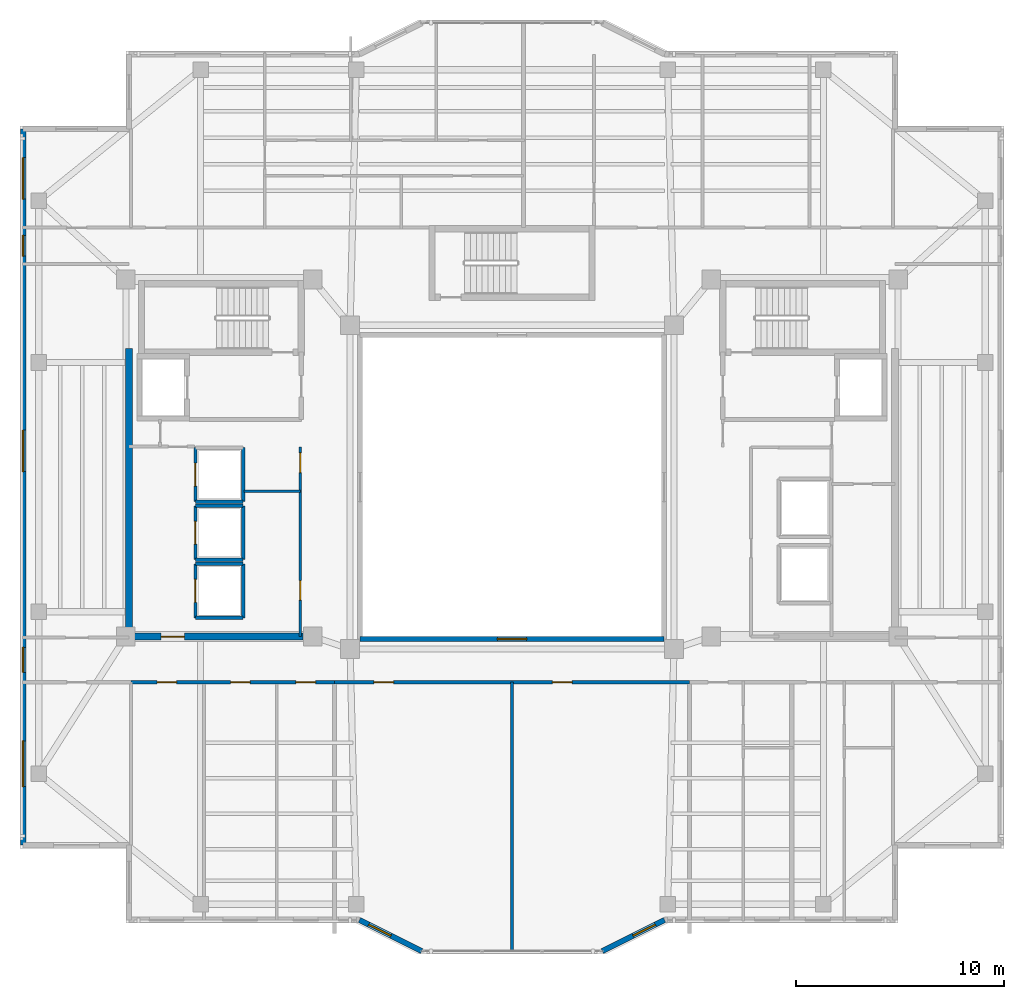
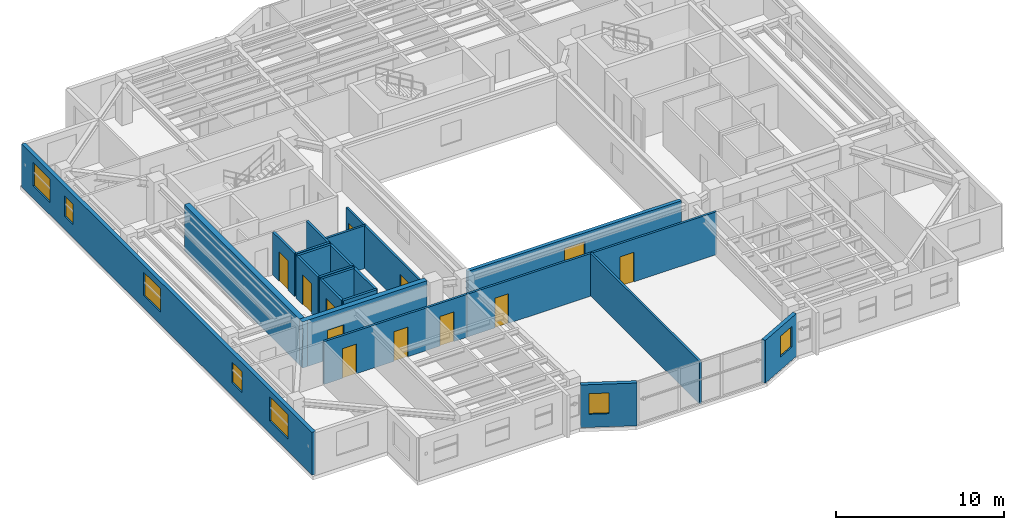
# One storey, part 6 of 13: 22 walls, 11 doors, 8 windows, 19 openings.
"""IFC4 building model written with IfcOpenShell, lengths in metres."""

from ifc_helpers import new_model, si_unit, direction, frame, frame_2d, origin, place, context, subcontext, project, spatial, rectangle, extrude, material, layer, layer_set, type_object, element, fill, save


model = new_model("IFC4")

# Units and contexts
model_context = context("Model", 3, precision=1e-05, world=origin(), true_north=direction((0.0, 1.0)))
body_context = subcontext(model_context, "Body", "Model", "MODEL_VIEW")
ifc_project = project(units=[si_unit("LENGTHUNIT", "METRE"), si_unit("AREAUNIT", "SQUARE_METRE"), si_unit("VOLUMEUNIT", "CUBIC_METRE"), si_unit("PLANEANGLEUNIT", "RADIAN"), si_unit("MASSUNIT", "GRAM", prefix="KILO")], contexts=[model_context])

# Site, building, storey
site_placement = place(None, origin())
site = spatial("IfcSite", under=ifc_project, at=site_placement, CompositionType="ELEMENT")
building_placement = place(site_placement, origin())
building = spatial("IfcBuilding", under=site, at=building_placement, Name="Tarnavaz Court Tower", CompositionType="ELEMENT")
storey_placement = place(building_placement, frame((0.0, 0.0, 196.949951171875)))
storey = spatial("IfcBuildingStorey", under=building, at=storey_placement, Name="L53", CompositionType="ELEMENT", Elevation=196.949951171875)

# Wall
ifc_material_1 = material(Name="Concrete C50/60", Category="concrete")
ifc_layer_1 = layer(ifc_material_1, 0.35009765625)
ifc_layer_set_1 = layer_set([ifc_layer_1], Name="Concrete C50/60")
wall_type_1 = type_object("IfcWallType", Name="WL-CORE-350-C50", PredefinedType="SHEAR", material=ifc_layer_set_1)
wall_1_placement = place(storey_placement, frame((-18.449951171875, -7.375, 0.0), z_axis=(0.0, 0.0, 1.0), x_axis=(0.0, 1.0, 0.0)))
element("IfcWall", 1, at=wall_1_placement, inside=storey, type_object=wall_type_1, Name="L53 West Core Shear Wall 045", PredefinedType="SHEAR", context=body_context, shape_type="SweptSolid", body=[
    extrude(rectangle(XDim=14.050048828125, YDim=0.35009765625, at=frame_2d((7.02490234375, 0.0))), origin(), (0.0, 0.0, 1.0), 3.35009765625),
])

# Wall, opening, door
wall_2_placement = place(storey_placement, frame((-18.625, -7.199951171875, 0.0), z_axis=(0.0, 0.0, 1.0), x_axis=(1.0, 0.0, 0.0)))
wall_2 = element("IfcWall", 2, at=wall_2_placement, inside=storey, type_object=wall_type_1, Name="L53 West Core South Shear Wall 046", PredefinedType="SHEAR", context=body_context, shape_type="SweptSolid", body=[
    extrude(rectangle(XDim=8.550048828125, YDim=0.35009765625, at=frame_2d((4.27490234375, 0.0))), origin(), (0.0, 0.0, 1.0), 3.35009765625),
])
opening_1_placement = place(wall_2_placement, frame((1.72509765625, 0.0, 0.0)))
opening_1 = element("IfcOpeningElement", 3, at=opening_1_placement, cuts=wall_2, Name="Opening D04", PredefinedType="OPENING", context=body_context, shape_type="SweptSolid", body=[
    extrude(rectangle(XDim=1.1201171875, YDim=2.14990234375, at=frame_2d((0.56005859375, 1.074951171875))), frame((0.0, 0.18505859375, 0.0), z_axis=(0.0, -1.0, 0.0), x_axis=(1.0, 0.0, 0.0)), (0.0, 0.0, 1.0), 0.3701171875),
])
ifc_material_2 = material(Name="Fire-Rated Hardwood Timber Core", Category="wood")
door_type_1 = type_object("IfcDoorType", Name="DR-FD60-1100", OperationType="NOTDEFINED", PredefinedType="DOOR", material=ifc_material_2)
door_1_placement = place(opening_1_placement, origin())
door_1 = element("IfcDoor", 4, at=door_1_placement, inside=storey, type_object=door_type_1, Name="L53 West High-Rise Lift Lobby Door", OperationType="SINGLE_SWING_LEFT", OverallHeight=2.14990234375, OverallWidth=1.1201171875, PredefinedType="DOOR", context=body_context, shape_type="SweptSolid", body=[
    extrude(rectangle(XDim=1.1201171875, YDim=2.14990234375, at=frame_2d((0.56005859375, 1.074951171875))), frame((0.0, 0.02490234375, 0.0), z_axis=(0.0, -1.0, 0.0), x_axis=(1.0, 0.0, 0.0)), (0.0, 0.0, 1.0), 0.050048828125),
])
fill(opening_1, door_1)

# Wall, openings, windows
ifc_material_3 = material(Name="Precast Concrete C40/50", Category="concrete")
ifc_layer_2 = layer(ifc_material_3, 0.260009765625)
ifc_layer_set_2 = layer_set([ifc_layer_2], Name="Precast Concrete C40/50")
wall_type_2 = type_object("IfcWallType", Name="WL-EXT-260", PredefinedType="SOLIDWALL", material=ifc_layer_set_2)
wall_3_placement = place(storey_placement, frame((-23.550048828125, -17.25, 0.0), z_axis=(0.0, 0.0, 1.0), x_axis=(0.0, 1.0, 0.0)))
wall_3 = element("IfcWall", 5, at=wall_3_placement, inside=storey, type_object=wall_type_2, Name="L53 Exterior Terracotta Facade Wall 02", PredefinedType="SOLIDWALL", context=body_context, shape_type="SweptSolid", body=[
    extrude(rectangle(XDim=34.5, YDim=0.260009765625, at=frame_2d((17.25, 0.0))), origin(), (0.0, 0.0, 1.0), 3.10009765625),
])
opening_2_placement = place(wall_3_placement, frame((2.824951171875, 0.0, 0.89990234375)))
opening_2 = element("IfcOpeningElement", 6, at=opening_2_placement, cuts=wall_3, Name="Opening W07", PredefinedType="OPENING", context=body_context, shape_type="SweptSolid", body=[
    extrude(rectangle(XDim=2.199951171875, YDim=1.75, at=frame_2d((1.10009765625, 0.875))), frame((0.0, 0.139892578125, 0.0), z_axis=(0.0, -1.0, 0.0), x_axis=(1.0, 0.0, 0.0)), (0.0, 0.0, 1.0), 0.280029296875),
])
opening_3_placement = place(wall_3_placement, frame((8.324951171875, 0.0, 0.949951171875)))
opening_3 = element("IfcOpeningElement", 7, at=opening_3_placement, cuts=wall_3, Name="Opening W05", PredefinedType="OPENING", context=body_context, shape_type="SweptSolid", body=[
    extrude(rectangle(XDim=1.199951171875, YDim=1.5, at=frame_2d((0.60009765625, 0.75))), frame((0.0, 0.139892578125, 0.0), z_axis=(0.0, -1.0, 0.0), x_axis=(1.0, 0.0, 0.0)), (0.0, 0.0, 1.0), 0.280029296875),
])
opening_4_placement = place(wall_3_placement, frame((18.0, 0.0, 0.89990234375)))
opening_4 = element("IfcOpeningElement", 8, at=opening_4_placement, cuts=wall_3, Name="Opening W08", PredefinedType="OPENING", context=body_context, shape_type="SweptSolid", body=[
    extrude(rectangle(XDim=2.0, YDim=1.699951171875, at=frame_2d((1.0, 0.85009765625))), frame((0.0, 0.139892578125, 0.0), z_axis=(0.0, -1.0, 0.0), x_axis=(1.0, 0.0, 0.0)), (0.0, 0.0, 1.0), 0.280029296875),
])
opening_5_placement = place(wall_3_placement, frame((28.375, 0.0, 0.949951171875)))
opening_5 = element("IfcOpeningElement", 9, at=opening_5_placement, cuts=wall_3, Name="Opening W14", PredefinedType="OPENING", context=body_context, shape_type="SweptSolid", body=[
    extrude(rectangle(XDim=1.0, YDim=1.5, at=frame_2d((0.5, 0.75))), frame((0.0, 0.139892578125, 0.0), z_axis=(0.0, -1.0, 0.0), x_axis=(1.0, 0.0, 0.0)), (0.0, 0.0, 1.0), 0.280029296875),
])
opening_6_placement = place(wall_3_placement, frame((31.125, 0.0, 0.89990234375)))
opening_6 = element("IfcOpeningElement", 10, at=opening_6_placement, cuts=wall_3, Name="Opening W08", PredefinedType="OPENING", context=body_context, shape_type="SweptSolid", body=[
    extrude(rectangle(XDim=2.0, YDim=1.699951171875, at=frame_2d((1.0, 0.85009765625))), frame((0.0, 0.139892578125, 0.0), z_axis=(0.0, -1.0, 0.0), x_axis=(1.0, 0.0, 0.0)), (0.0, 0.0, 1.0), 0.280029296875),
])
ifc_material_4 = material(Name="Double-Glazed Solar Low-E Glass", Category="glass")
window_type_1 = type_object("IfcWindowType", Name="WN-APT-1000", PartitioningType="SINGLE_PANEL", PredefinedType="WINDOW", material=ifc_material_4)
window_1_placement = place(opening_5_placement, origin())
window_1 = element("IfcWindow", 11, at=window_1_placement, inside=storey, type_object=window_type_1, Name="L53 North-West Corner Corridor Window", OverallHeight=1.5, OverallWidth=1.0, PartitioningType="SINGLE_PANEL", PredefinedType="WINDOW", context=body_context, shape_type="SweptSolid", body=[
    extrude(rectangle(XDim=1.0, YDim=1.5, at=frame_2d((0.5, 0.75))), frame((0.0, 0.030029296875, 0.0), z_axis=(0.0, -1.0, 0.0), x_axis=(1.0, 0.0, 0.0)), (0.0, 0.0, 1.0), 0.06005859375),
])
fill(opening_5, window_1)
window_type_2 = type_object("IfcWindowType", Name="WN-APT-1200", PartitioningType="SINGLE_PANEL", PredefinedType="WINDOW", material=ifc_material_4)
window_2_placement = place(opening_3_placement, origin())
window_2 = element("IfcWindow", 12, at=window_2_placement, inside=storey, type_object=window_type_2, Name="L53 South-West Corner Corridor Window", OverallHeight=1.5, OverallWidth=1.199951171875, PartitioningType="SINGLE_PANEL", PredefinedType="WINDOW", context=body_context, shape_type="SweptSolid", body=[
    extrude(rectangle(XDim=1.199951171875, YDim=1.5, at=frame_2d((0.60009765625, 0.75))), frame((0.0, 0.030029296875, 0.0), z_axis=(0.0, -1.0, 0.0), x_axis=(1.0, 0.0, 0.0)), (0.0, 0.0, 1.0), 0.06005859375),
])
fill(opening_3, window_2)
window_type_3 = type_object("IfcWindowType", Name="WN-APT-2000", PartitioningType="DOUBLE_PANEL_VERTICAL", PredefinedType="WINDOW", material=ifc_material_4)
window_3_placement = place(opening_4_placement, origin())
window_3 = element("IfcWindow", 13, at=window_3_placement, inside=storey, type_object=window_type_3, Name="L53 West Wing Panoramic Study Gallery Window", OverallHeight=1.699951171875, OverallWidth=2.0, PartitioningType="SINGLE_PANEL", PredefinedType="WINDOW", context=body_context, shape_type="SweptSolid", body=[
    extrude(rectangle(XDim=2.0, YDim=1.699951171875, at=frame_2d((1.0, 0.85009765625))), frame((0.0, 0.030029296875, 0.0), z_axis=(0.0, -1.0, 0.0), x_axis=(1.0, 0.0, 0.0)), (0.0, 0.0, 1.0), 0.06005859375),
])
fill(opening_4, window_3)
window_4_placement = place(opening_6_placement, origin())
window_4 = element("IfcWindow", 14, at=window_4_placement, inside=storey, type_object=window_type_3, Name="L53 North-West Corner Sunroom Study Window", OverallHeight=1.699951171875, OverallWidth=2.0, PartitioningType="SINGLE_PANEL", PredefinedType="WINDOW", context=body_context, shape_type="SweptSolid", body=[
    extrude(rectangle(XDim=2.0, YDim=1.699951171875, at=frame_2d((1.0, 0.85009765625))), frame((0.0, 0.030029296875, 0.0), z_axis=(0.0, -1.0, 0.0), x_axis=(1.0, 0.0, 0.0)), (0.0, 0.0, 1.0), 0.06005859375),
])
fill(opening_6, window_4)
window_type_4 = type_object("IfcWindowType", Name="WN-APT-2200", PartitioningType="TRIPLE_PANEL_VERTICAL", PredefinedType="WINDOW", material=ifc_material_4)
window_5_placement = place(opening_2_placement, origin())
window_5 = element("IfcWindow", 15, at=window_5_placement, inside=storey, type_object=window_type_4, Name="L53 South-West Corner Reading Room Window", OverallHeight=1.75, OverallWidth=2.199951171875, PartitioningType="SINGLE_PANEL", PredefinedType="WINDOW", context=body_context, shape_type="SweptSolid", body=[
    extrude(rectangle(XDim=2.199951171875, YDim=1.75, at=frame_2d((1.10009765625, 0.875))), frame((0.0, 0.030029296875, 0.0), z_axis=(0.0, -1.0, 0.0), x_axis=(1.0, 0.0, 0.0)), (0.0, 0.0, 1.0), 0.06005859375),
])
fill(opening_2, window_5)

# Wall, opening, window
wall_4_placement = place(storey_placement, frame((7.35009765625, -20.85009765625, 0.0), z_axis=(0.0, 0.0, 1.0), x_axis=(-0.894427191, -0.4472135955, 0.0)))
wall_4 = element("IfcWall", 16, at=wall_4_placement, inside=storey, type_object=wall_type_2, Name="L53 Exterior Terracotta Facade Wall 16", PredefinedType="SOLIDWALL", context=body_context, shape_type="SweptSolid", body=[
    extrude(rectangle(XDim=3.35400390625, YDim=0.260009765625, at=frame_2d((1.677001953125, 0.0))), origin(), (0.0, 0.0, 1.0), 3.10009765625),
])
opening_7_placement = place(wall_4_placement, frame((0.501220703125, 0.0, 0.949951171875)))
opening_7 = element("IfcOpeningElement", 17, at=opening_7_placement, cuts=wall_4, Name="Opening W05", PredefinedType="OPENING", context=body_context, shape_type="SweptSolid", body=[
    extrude(rectangle(XDim=1.199951171875, YDim=1.5, at=frame_2d((0.60009765625, 0.75))), frame((0.0, 0.139892578125, 0.0), z_axis=(0.0, -1.0, 0.0), x_axis=(1.0, 0.0, 0.0)), (0.0, 0.0, 1.0), 0.280029296875),
])
window_6_placement = place(opening_7_placement, origin())
window_6 = element("IfcWindow", 18, at=window_6_placement, inside=storey, type_object=window_type_2, Name="L53 South Courtyard Reading Room Window", OverallHeight=1.5, OverallWidth=1.199951171875, PartitioningType="SINGLE_PANEL", PredefinedType="WINDOW", context=body_context, shape_type="SweptSolid", body=[
    extrude(rectangle(XDim=1.199951171875, YDim=1.5, at=frame_2d((0.60009765625, 0.75))), frame((0.0, 0.030029296875, 0.0), z_axis=(0.0, -1.0, 0.0), x_axis=(1.0, 0.0, 0.0)), (0.0, 0.0, 1.0), 0.06005859375),
])
fill(opening_7, window_6)

wall_5_placement = place(storey_placement, frame((-4.35009765625, -22.35009765625, 0.0), z_axis=(0.0, 0.0, 1.0), x_axis=(-0.894427191, 0.4472135955, 0.0)))
wall_5 = element("IfcWall", 19, at=wall_5_placement, inside=storey, type_object=wall_type_2, Name="L53 Exterior Terracotta Facade Wall 18", PredefinedType="SOLIDWALL", context=body_context, shape_type="SweptSolid", body=[
    extrude(rectangle(XDim=3.35400390625, YDim=0.260009765625, at=frame_2d((1.677001953125, 0.0))), origin(), (0.0, 0.0, 1.0), 3.10009765625),
])
opening_8_placement = place(wall_5_placement, frame((1.65283203125, 0.0, 0.949951171875)))
opening_8 = element("IfcOpeningElement", 20, at=opening_8_placement, cuts=wall_5, Name="Opening W05", PredefinedType="OPENING", context=body_context, shape_type="SweptSolid", body=[
    extrude(rectangle(XDim=1.199951171875, YDim=1.5, at=frame_2d((0.60009765625, 0.75))), frame((0.0, 0.139892578125, 0.0), z_axis=(0.0, -1.0, 0.0), x_axis=(1.0, 0.0, 0.0)), (0.0, 0.0, 1.0), 0.280029296875),
])
window_7_placement = place(opening_8_placement, origin())
window_7 = element("IfcWindow", 21, at=window_7_placement, inside=storey, type_object=window_type_2, Name="L53 South Courtyard Majlis Lounge Window", OverallHeight=1.5, OverallWidth=1.199951171875, PartitioningType="SINGLE_PANEL", PredefinedType="WINDOW", context=body_context, shape_type="SweptSolid", body=[
    extrude(rectangle(XDim=1.199951171875, YDim=1.5, at=frame_2d((0.60009765625, 0.75))), frame((0.0, 0.030029296875, 0.0), z_axis=(0.0, -1.0, 0.0), x_axis=(1.0, 0.0, 0.0)), (0.0, 0.0, 1.0), 0.06005859375),
])
fill(opening_8, window_7)

# Wall, openings, doors
ifc_material_5 = material(Name="Gypsum Fire-Board on Acoustic Metal Stud", Category="masonry")
ifc_layer_3 = layer(ifc_material_5, 0.14990234375)
ifc_layer_set_3 = layer_set([ifc_layer_3], Name="Gypsum Fire-Board on Acoustic Metal Stud")
wall_type_3 = type_object("IfcWallType", Name="WL-FIRE-150", PredefinedType="PARTITIONING", material=ifc_layer_set_3)
wall_6_placement = place(storey_placement, frame((-18.35009765625, -9.39990234375, 0.0), z_axis=(0.0, 0.0, 1.0), x_axis=(1.0, 0.0, 0.0)))
wall_6 = element("IfcWall", 22, at=wall_6_placement, inside=storey, type_object=wall_type_3, Name="L53 SW Lobby Wall 062", PredefinedType="PARTITIONING", context=body_context, shape_type="SweptSolid", body=[
    extrude(rectangle(XDim=9.800048828125, YDim=0.14990234375, at=frame_2d((4.89990234375, 0.0))), origin(), (0.0, 0.0, 1.0), 3.10009765625),
])
opening_9_placement = place(wall_6_placement, frame((1.25, 0.0, 0.0)))
opening_9 = element("IfcOpeningElement", 23, at=opening_9_placement, cuts=wall_6, Name="Opening D13", PredefinedType="OPENING", context=body_context, shape_type="SweptSolid", body=[
    extrude(rectangle(XDim=0.949951171875, YDim=2.14990234375, at=frame_2d((0.47509765625, 1.074951171875))), frame((0.0, 0.0849609375, 0.0), z_axis=(0.0, -1.0, 0.0), x_axis=(1.0, 0.0, 0.0)), (0.0, 0.0, 1.0), 0.169921875),
])
opening_10_placement = place(wall_6_placement, frame((4.7900390625, 0.0, 0.0)))
opening_10 = element("IfcOpeningElement", 24, at=opening_10_placement, cuts=wall_6, Name="Opening D13", PredefinedType="OPENING", context=body_context, shape_type="SweptSolid", body=[
    extrude(rectangle(XDim=0.949951171875, YDim=2.14990234375, at=frame_2d((0.47509765625, 1.074951171875))), frame((0.0, 0.0849609375, 0.0), z_axis=(0.0, -1.0, 0.0), x_axis=(1.0, 0.0, 0.0)), (0.0, 0.0, 1.0), 0.169921875),
])
opening_11_placement = place(wall_6_placement, frame((7.93994140625, 0.0, 0.0)))
opening_11 = element("IfcOpeningElement", 25, at=opening_11_placement, cuts=wall_6, Name="Opening D13", PredefinedType="OPENING", context=body_context, shape_type="SweptSolid", body=[
    extrude(rectangle(XDim=0.949951171875, YDim=2.14990234375, at=frame_2d((0.47509765625, 1.074951171875))), frame((0.0, 0.0849609375, 0.0), z_axis=(0.0, -1.0, 0.0), x_axis=(1.0, 0.0, 0.0)), (0.0, 0.0, 1.0), 0.169921875),
])
ifc_material_6 = material(Name="Engineered Oak Timber", Category="wood")
door_type_2 = type_object("IfcDoorType", Name="DR-INT-950", OperationType="NOTDEFINED", PredefinedType="DOOR", material=ifc_material_6)
door_2_placement = place(opening_9_placement, origin())
door_2 = element("IfcDoor", 26, at=door_2_placement, inside=storey, type_object=door_type_2, Name="L53 Resident Co-Working Study Room Door", OperationType="SINGLE_SWING_LEFT", OverallHeight=2.14990234375, OverallWidth=0.949951171875, PredefinedType="DOOR", context=body_context, shape_type="SweptSolid", body=[
    extrude(rectangle(XDim=0.949951171875, YDim=2.14990234375, at=frame_2d((0.47509765625, 1.074951171875))), frame((0.0, 0.02490234375, 0.0), z_axis=(0.0, -1.0, 0.0), x_axis=(1.0, 0.0, 0.0)), (0.0, 0.0, 1.0), 0.050048828125),
])
fill(opening_9, door_2)
door_3_placement = place(opening_10_placement, origin())
door_3 = element("IfcDoor", 27, at=door_3_placement, inside=storey, type_object=door_type_2, Name="L53 Quiet Reading Library Room Door", OperationType="SINGLE_SWING_RIGHT", OverallHeight=2.14990234375, OverallWidth=0.949951171875, PredefinedType="DOOR", context=body_context, shape_type="SweptSolid", body=[
    extrude(rectangle(XDim=0.949951171875, YDim=2.14990234375, at=frame_2d((0.47509765625, 1.074951171875))), frame((0.0, 0.02490234375, 0.0), z_axis=(0.0, -1.0, 0.0), x_axis=(1.0, 0.0, 0.0)), (0.0, 0.0, 1.0), 0.050048828125),
])
fill(opening_10, door_3)
door_4_placement = place(opening_11_placement, origin())
door_4 = element("IfcDoor", 28, at=door_4_placement, inside=storey, type_object=door_type_2, Name="L53 Resident Focus Seminar Room Door", OperationType="SINGLE_SWING_LEFT", OverallHeight=2.14990234375, OverallWidth=0.949951171875, PredefinedType="DOOR", context=body_context, shape_type="SweptSolid", body=[
    extrude(rectangle(XDim=0.949951171875, YDim=2.14990234375, at=frame_2d((0.47509765625, 1.074951171875))), frame((0.0, 0.02490234375, 0.0), z_axis=(0.0, -1.0, 0.0), x_axis=(1.0, 0.0, 0.0)), (0.0, 0.0, 1.0), 0.050048828125),
])
fill(opening_11, door_4)

wall_7_placement = place(storey_placement, frame((-8.550048828125, -9.39990234375, 0.0), z_axis=(0.0, 0.0, 1.0), x_axis=(1.0, 0.0, 0.0)))
wall_7 = element("IfcWall", 29, at=wall_7_placement, inside=storey, type_object=wall_type_3, Name="L53 Interior Partition 086", PredefinedType="PARTITIONING", context=body_context, shape_type="SweptSolid", body=[
    extrude(rectangle(XDim=17.10009765625, YDim=0.14990234375, at=frame_2d((8.550048828125, 0.0))), origin(), (0.0, 0.0, 1.0), 3.10009765625),
])
opening_12_placement = place(wall_7_placement, frame((1.89990234375, 0.0, 0.0)))
opening_12 = element("IfcOpeningElement", 30, at=opening_12_placement, cuts=wall_7, Name="Opening D13", PredefinedType="OPENING", context=body_context, shape_type="SweptSolid", body=[
    extrude(rectangle(XDim=0.949951171875, YDim=2.14990234375, at=frame_2d((0.47509765625, 1.074951171875))), frame((0.0, 0.0849609375, 0.0), z_axis=(0.0, -1.0, 0.0), x_axis=(1.0, 0.0, 0.0)), (0.0, 0.0, 1.0), 0.169921875),
])
opening_13_placement = place(wall_7_placement, frame((10.5, 0.0, 0.0)))
opening_13 = element("IfcOpeningElement", 31, at=opening_13_placement, cuts=wall_7, Name="Opening D13", PredefinedType="OPENING", context=body_context, shape_type="SweptSolid", body=[
    extrude(rectangle(XDim=0.949951171875, YDim=2.14990234375, at=frame_2d((0.47509765625, 1.074951171875))), frame((0.0, 0.0849609375, 0.0), z_axis=(0.0, -1.0, 0.0), x_axis=(1.0, 0.0, 0.0)), (0.0, 0.0, 1.0), 0.169921875),
])
door_5_placement = place(opening_12_placement, origin())
door_5 = element("IfcDoor", 32, at=door_5_placement, inside=storey, type_object=door_type_2, Name="L53 South Majlis Lounge Door", OperationType="SINGLE_SWING_RIGHT", OverallHeight=2.14990234375, OverallWidth=0.949951171875, PredefinedType="DOOR", context=body_context, shape_type="SweptSolid", body=[
    extrude(rectangle(XDim=0.949951171875, YDim=2.14990234375, at=frame_2d((0.47509765625, 1.074951171875))), frame((0.0, 0.02490234375, 0.0), z_axis=(0.0, -1.0, 0.0), x_axis=(1.0, 0.0, 0.0)), (0.0, 0.0, 1.0), 0.050048828125),
])
fill(opening_12, door_5)
door_6_placement = place(opening_13_placement, origin())
door_6 = element("IfcDoor", 33, at=door_6_placement, inside=storey, type_object=door_type_2, Name="L53 South Reading Room Door", OperationType="SINGLE_SWING_LEFT", OverallHeight=2.14990234375, OverallWidth=0.949951171875, PredefinedType="DOOR", context=body_context, shape_type="SweptSolid", body=[
    extrude(rectangle(XDim=0.949951171875, YDim=2.14990234375, at=frame_2d((0.47509765625, 1.074951171875))), frame((0.0, 0.02490234375, 0.0), z_axis=(0.0, -1.0, 0.0), x_axis=(1.0, 0.0, 0.0)), (0.0, 0.0, 1.0), 0.050048828125),
])
fill(opening_13, door_6)

ifc_material_7 = material(Name="Gypsum Plasterboard Acoustic Partition", Category="masonry")
ifc_layer_4 = layer(ifc_material_7, 0.139892578125)
ifc_layer_set_4 = layer_set([ifc_layer_4], Name="Gypsum Plasterboard Acoustic Partition")
wall_type_4 = type_object("IfcWallType", Name="WL-PART-150", PredefinedType="PARTITIONING", material=ifc_layer_set_4)
wall_8_placement = place(storey_placement, frame((-10.199951171875, -7.199951171875, 0.0), z_axis=(0.0, 0.0, 1.0), x_axis=(0.0, 1.0, 0.0)))
wall_8 = element("IfcWall", 34, at=wall_8_placement, inside=storey, type_object=wall_type_4, Name="L53 West Reclaimed Core Wall 051", PredefinedType="PARTITIONING", context=body_context, shape_type="SweptSolid", body=[
    extrude(rectangle(XDim=9.119873046875, YDim=0.139892578125, at=frame_2d((4.56005859375, 0.0))), origin(), (0.0, 0.0, 1.0), 3.10009765625),
])
opening_14_placement = place(wall_8_placement, frame((1.75, 0.0, 0.0)))
opening_14 = element("IfcOpeningElement", 35, at=opening_14_placement, cuts=wall_8, Name="Opening D08", PredefinedType="OPENING", context=body_context, shape_type="SweptSolid", body=[
    extrude(rectangle(XDim=0.949951171875, YDim=2.1201171875, at=frame_2d((0.47509765625, 1.06005859375))), frame((0.0, 0.079833984375, 0.0), z_axis=(0.0, -1.0, 0.0), x_axis=(1.0, 0.0, 0.0)), (0.0, 0.0, 1.0), 0.159912109375),
])
opening_15_placement = place(wall_8_placement, frame((7.89990234375, 0.0, 0.0)))
opening_15 = element("IfcOpeningElement", 36, at=opening_15_placement, cuts=wall_8, Name="Opening D08", PredefinedType="OPENING", context=body_context, shape_type="SweptSolid", body=[
    extrude(rectangle(XDim=0.949951171875, YDim=2.1201171875, at=frame_2d((0.47509765625, 1.06005859375))), frame((0.0, 0.079833984375, 0.0), z_axis=(0.0, -1.0, 0.0), x_axis=(1.0, 0.0, 0.0)), (0.0, 0.0, 1.0), 0.159912109375),
])
door_type_3 = type_object("IfcDoorType", Name="DR-FD30-950", OperationType="NOTDEFINED", PredefinedType="DOOR", material=ifc_material_2)
door_7_placement = place(opening_14_placement, origin())
door_7 = element("IfcDoor", 37, at=door_7_placement, inside=storey, type_object=door_type_3, Name="L53 West Study Room Door", OperationType="SINGLE_SWING_RIGHT", OverallHeight=2.1201171875, OverallWidth=0.949951171875, PredefinedType="DOOR", context=body_context, shape_type="SweptSolid", body=[
    extrude(rectangle(XDim=0.949951171875, YDim=2.1201171875, at=frame_2d((0.47509765625, 1.06005859375))), frame((0.0, 0.02490234375, 0.0), z_axis=(0.0, -1.0, 0.0), x_axis=(1.0, 0.0, 0.0)), (0.0, 0.0, 1.0), 0.050048828125),
])
fill(opening_14, door_7)
door_8_placement = place(opening_15_placement, origin())
door_8 = element("IfcDoor", 38, at=door_8_placement, inside=storey, type_object=door_type_3, Name="L53 West Laundry Room Door", OperationType="SINGLE_SWING_LEFT", OverallHeight=2.1201171875, OverallWidth=0.949951171875, PredefinedType="DOOR", context=body_context, shape_type="SweptSolid", body=[
    extrude(rectangle(XDim=0.949951171875, YDim=2.1201171875, at=frame_2d((0.47509765625, 1.06005859375))), frame((0.0, 0.02490234375, 0.0), z_axis=(0.0, -1.0, 0.0), x_axis=(1.0, 0.0, 0.0)), (0.0, 0.0, 1.0), 0.050048828125),
])
fill(opening_15, door_8)

# Walls
wall_9_placement = place(storey_placement, frame((-12.89990234375, -0.199951171875, 0.0), z_axis=(0.0, 0.0, 1.0), x_axis=(1.0, 0.0, 0.0)))
element("IfcWall", 39, at=wall_9_placement, inside=storey, type_object=wall_type_4, Name="L53 Interior Partition 052", PredefinedType="PARTITIONING", context=body_context, shape_type="SweptSolid", body=[
    extrude(rectangle(XDim=2.699951171875, YDim=0.139892578125, at=frame_2d((1.35009765625, 0.0))), origin(), (0.0, 0.0, 1.0), 3.10009765625),
])
wall_10_placement = place(storey_placement, frame((0.0, -22.3798828125, 0.0), z_axis=(0.0, 0.0, 1.0), x_axis=(0.0, 1.0, 0.0)))
element("IfcWall", 40, at=wall_10_placement, inside=storey, type_object=wall_type_4, Name="L53 Interior Partition 087", PredefinedType="PARTITIONING", context=body_context, shape_type="SweptSolid", body=[
    extrude(rectangle(XDim=12.97998046875, YDim=0.139892578125, at=frame_2d((6.489990234375, 0.0))), origin(), (0.0, 0.0, 1.0), 3.10009765625),
])

# Wall, opening, door
ifc_material_8 = material(Name="Autoclaved Aerated Concrete Blockwork", Category="masonry")
ifc_layer_5 = layer(ifc_material_8, 0.159912109375)
ifc_layer_set_5 = layer_set([ifc_layer_5], Name="Autoclaved Aerated Concrete Blockwork")
wall_type_5 = type_object("IfcWallType", Name="WL-SHAFT-150", PredefinedType="SOLIDWALL", material=ifc_layer_set_5)
wall_11_placement = place(storey_placement, frame((-15.25, -6.300048828125, 0.0), z_axis=(0.0, 0.0, 1.0), x_axis=(0.0, 1.0, 0.0)))
wall_11 = element("IfcWall", 41, at=wall_11_placement, inside=storey, type_object=wall_type_5, Name="L53 Lift PL-H1 Shaft Wall 021", PredefinedType="SOLIDWALL", context=body_context, shape_type="SweptSolid", body=[
    extrude(rectangle(XDim=2.60009765625, YDim=0.159912109375, at=frame_2d((1.300048828125, 0.0))), origin(), (0.0, 0.0, 1.0), 3.10009765625),
])
opening_16_placement = place(wall_11_placement, frame((0.75, 0.0, 0.0)))
opening_16 = element("IfcOpeningElement", 42, at=opening_16_placement, cuts=wall_11, Name="Opening LD1", PredefinedType="OPENING", context=body_context, shape_type="SweptSolid", body=[
    extrude(rectangle(XDim=1.10009765625, YDim=2.14990234375, at=frame_2d((0.550048828125, 1.074951171875))), frame((0.0, 0.08984375, 0.0), z_axis=(0.0, -1.0, 0.0), x_axis=(1.0, 0.0, 0.0)), (0.0, 0.0, 1.0), 0.179931640625),
])
ifc_material_9 = material(Name="Stainless Steel", Category="steel")
door_type_4 = type_object("IfcDoorType", Name="DR-LD-1100", OperationType="NOTDEFINED", PredefinedType="DOOR", material=ifc_material_9)
door_9_placement = place(opening_16_placement, origin())
door_9 = element("IfcDoor", 43, at=door_9_placement, inside=storey, type_object=door_type_4, Name="L53 Lift Landing Door LD-PL-H1", OperationType="SLIDING_TO_LEFT", OverallHeight=2.14990234375, OverallWidth=1.10009765625, PredefinedType="DOOR", context=body_context, shape_type="SweptSolid", body=[
    extrude(rectangle(XDim=1.10009765625, YDim=2.14990234375, at=frame_2d((0.550048828125, 1.074951171875))), frame((0.0, 0.02490234375, 0.0), z_axis=(0.0, -1.0, 0.0), x_axis=(1.0, 0.0, 0.0)), (0.0, 0.0, 1.0), 0.050048828125),
])
fill(opening_16, door_9)

# Walls
wall_12_placement = place(storey_placement, frame((-12.949951171875, -6.300048828125, 0.0), z_axis=(0.0, 0.0, 1.0), x_axis=(0.0, 1.0, 0.0)))
element("IfcWall", 44, at=wall_12_placement, inside=storey, type_object=wall_type_5, Name="L53 Lift PL-H1 Shaft Wall 022", PredefinedType="SOLIDWALL", context=body_context, shape_type="SweptSolid", body=[
    extrude(rectangle(XDim=2.60009765625, YDim=0.159912109375, at=frame_2d((1.300048828125, 0.0))), origin(), (0.0, 0.0, 1.0), 3.10009765625),
])
for number, where, z_axis, x_axis, name in (
    (45, (-15.25, -6.300048828125, 0.0), (0.0, 0.0, 1.0), (1.0, 0.0, 0.0), "L53 Lift PL-H1 Shaft Wall 023"),
    (46, (-15.25, -3.699951171875, 0.0), (0.0, 0.0, 1.0), (1.0, 0.0, 0.0), "L53 Lift PL-H1 Shaft Wall 024"),
):
    element("IfcWall", number, at=place(storey_placement, frame(where, z_axis=z_axis, x_axis=x_axis)), inside=storey, type_object=wall_type_5, Name=name, PredefinedType="SOLIDWALL", context=body_context, shape_type="SweptSolid", body=[
        extrude(rectangle(XDim=2.300048828125, YDim=0.159912109375, at=frame_2d((1.14990234375, 0.0))), origin(), (0.0, 0.0, 1.0), 3.10009765625),
    ])

# Wall, opening, door
wall_13_placement = place(storey_placement, frame((-15.25, -3.5, 0.0), z_axis=(0.0, 0.0, 1.0), x_axis=(0.0, 1.0, 0.0)))
wall_13 = element("IfcWall", 47, at=wall_13_placement, inside=storey, type_object=wall_type_5, Name="L53 Lift PL-H2 Shaft Wall 025", PredefinedType="SOLIDWALL", context=body_context, shape_type="SweptSolid", body=[
    extrude(rectangle(XDim=2.60009765625, YDim=0.159912109375, at=frame_2d((1.300048828125, 0.0))), origin(), (0.0, 0.0, 1.0), 3.10009765625),
])
opening_17_placement = place(wall_13_placement, frame((0.75, 0.0, 0.0)))
opening_17 = element("IfcOpeningElement", 48, at=opening_17_placement, cuts=wall_13, Name="Opening LD1", PredefinedType="OPENING", context=body_context, shape_type="SweptSolid", body=[
    extrude(rectangle(XDim=1.10009765625, YDim=2.14990234375, at=frame_2d((0.550048828125, 1.074951171875))), frame((0.0, 0.08984375, 0.0), z_axis=(0.0, -1.0, 0.0), x_axis=(1.0, 0.0, 0.0)), (0.0, 0.0, 1.0), 0.179931640625),
])
door_10_placement = place(opening_17_placement, origin())
door_10 = element("IfcDoor", 49, at=door_10_placement, inside=storey, type_object=door_type_4, Name="L53 Lift Landing Door LD-PL-H2", OperationType="SLIDING_TO_LEFT", OverallHeight=2.14990234375, OverallWidth=1.10009765625, PredefinedType="DOOR", context=body_context, shape_type="SweptSolid", body=[
    extrude(rectangle(XDim=1.10009765625, YDim=2.14990234375, at=frame_2d((0.550048828125, 1.074951171875))), frame((0.0, 0.02490234375, 0.0), z_axis=(0.0, -1.0, 0.0), x_axis=(1.0, 0.0, 0.0)), (0.0, 0.0, 1.0), 0.050048828125),
])
fill(opening_17, door_10)

# Walls
wall_14_placement = place(storey_placement, frame((-12.949951171875, -3.5, 0.0), z_axis=(0.0, 0.0, 1.0), x_axis=(0.0, 1.0, 0.0)))
element("IfcWall", 50, at=wall_14_placement, inside=storey, type_object=wall_type_5, Name="L53 Lift PL-H2 Shaft Wall 026", PredefinedType="SOLIDWALL", context=body_context, shape_type="SweptSolid", body=[
    extrude(rectangle(XDim=2.60009765625, YDim=0.159912109375, at=frame_2d((1.300048828125, 0.0))), origin(), (0.0, 0.0, 1.0), 3.10009765625),
])
for number, where, z_axis, x_axis, name in (
    (51, (-15.25, -3.5, 0.0), (0.0, 0.0, 1.0), (1.0, 0.0, 0.0), "L53 Lift PL-H2 Shaft Wall 027"),
    (52, (-15.25, -0.89990234375, 0.0), (0.0, 0.0, 1.0), (1.0, 0.0, 0.0), "L53 Lift PL-H2 Shaft Wall 028"),
):
    element("IfcWall", number, at=place(storey_placement, frame(where, z_axis=z_axis, x_axis=x_axis)), inside=storey, type_object=wall_type_5, Name=name, PredefinedType="SOLIDWALL", context=body_context, shape_type="SweptSolid", body=[
        extrude(rectangle(XDim=2.300048828125, YDim=0.159912109375, at=frame_2d((1.14990234375, 0.0))), origin(), (0.0, 0.0, 1.0), 3.10009765625),
    ])

# Wall, opening, door
wall_15_placement = place(storey_placement, frame((-15.25, -0.699951171875, 0.0), z_axis=(0.0, 0.0, 1.0), x_axis=(0.0, 1.0, 0.0)))
wall_15 = element("IfcWall", 53, at=wall_15_placement, inside=storey, type_object=wall_type_5, Name="L53 Lift PL-H3 Shaft Wall 029", PredefinedType="SOLIDWALL", context=body_context, shape_type="SweptSolid", body=[
    extrude(rectangle(XDim=2.599853515625, YDim=0.159912109375, at=frame_2d((1.2998046875, 0.0))), origin(), (0.0, 0.0, 1.0), 3.10009765625),
])
opening_18_placement = place(wall_15_placement, frame((0.75, 0.0, 0.0)))
opening_18 = element("IfcOpeningElement", 54, at=opening_18_placement, cuts=wall_15, Name="Opening LD1", PredefinedType="OPENING", context=body_context, shape_type="SweptSolid", body=[
    extrude(rectangle(XDim=1.10009765625, YDim=2.14990234375, at=frame_2d((0.550048828125, 1.074951171875))), frame((0.0, 0.08984375, 0.0), z_axis=(0.0, -1.0, 0.0), x_axis=(1.0, 0.0, 0.0)), (0.0, 0.0, 1.0), 0.179931640625),
])
door_11_placement = place(opening_18_placement, origin())
door_11 = element("IfcDoor", 55, at=door_11_placement, inside=storey, type_object=door_type_4, Name="L53 Lift Landing Door LD-PL-H3", OperationType="SLIDING_TO_LEFT", OverallHeight=2.14990234375, OverallWidth=1.10009765625, PredefinedType="DOOR", context=body_context, shape_type="SweptSolid", body=[
    extrude(rectangle(XDim=1.10009765625, YDim=2.14990234375, at=frame_2d((0.550048828125, 1.074951171875))), frame((0.0, 0.02490234375, 0.0), z_axis=(0.0, -1.0, 0.0), x_axis=(1.0, 0.0, 0.0)), (0.0, 0.0, 1.0), 0.050048828125),
])
fill(opening_18, door_11)

# Walls
wall_16_placement = place(storey_placement, frame((-12.949951171875, -0.699951171875, 0.0), z_axis=(0.0, 0.0, 1.0), x_axis=(0.0, 1.0, 0.0)))
element("IfcWall", 56, at=wall_16_placement, inside=storey, type_object=wall_type_5, Name="L53 Lift PL-H3 Shaft Wall 030", PredefinedType="SOLIDWALL", context=body_context, shape_type="SweptSolid", body=[
    extrude(rectangle(XDim=2.599853515625, YDim=0.159912109375, at=frame_2d((1.2998046875, 0.0))), origin(), (0.0, 0.0, 1.0), 3.10009765625),
])
wall_17_placement = place(storey_placement, frame((-15.25, -0.699951171875, 0.0), z_axis=(0.0, 0.0, 1.0), x_axis=(1.0, 0.0, 0.0)))
element("IfcWall", 57, at=wall_17_placement, inside=storey, type_object=wall_type_5, Name="L53 Lift PL-H3 Shaft Wall 031", PredefinedType="SOLIDWALL", context=body_context, shape_type="SweptSolid", body=[
    extrude(rectangle(XDim=2.300048828125, YDim=0.159912109375, at=frame_2d((1.14990234375, 0.0))), origin(), (0.0, 0.0, 1.0), 3.10009765625),
])

# Wall, opening, window
ifc_layer_6 = layer(ifc_material_3, 0.239990234375)
ifc_layer_set_6 = layer_set([ifc_layer_6], Name="Precast Concrete C40/50")
wall_type_6 = type_object("IfcWallType", Name="WL-WELL-240", PredefinedType="SOLIDWALL", material=ifc_layer_set_6)
wall_18_placement = place(storey_placement, frame((-7.320068359375, -7.320068359375, 0.0), z_axis=(0.0, 0.0, 1.0), x_axis=(1.0, 0.0, 0.0)))
wall_18 = element("IfcWall", 58, at=wall_18_placement, inside=storey, type_object=wall_type_6, Name="L53 Badgir Light-Well Exterior Wall S", PredefinedType="SOLIDWALL", context=body_context, shape_type="SweptSolid", body=[
    extrude(rectangle(XDim=14.64013671875, YDim=0.239990234375, at=frame_2d((7.320068359375, 0.0))), origin(), (0.0, 0.0, 1.0), 3.10009765625),
])
opening_19_placement = place(wall_18_placement, frame((6.6201171875, 0.0, 0.949951171875)))
opening_19 = element("IfcOpeningElement", 59, at=opening_19_placement, cuts=wall_18, Name="Opening W13", PredefinedType="OPENING", context=body_context, shape_type="SweptSolid", body=[
    extrude(rectangle(XDim=1.39990234375, YDim=1.5, at=frame_2d((0.699951171875, 0.75))), frame((0.0, 0.1298828125, 0.0), z_axis=(0.0, -1.0, 0.0), x_axis=(1.0, 0.0, 0.0)), (0.0, 0.0, 1.0), 0.260009765625),
])
window_type_5 = type_object("IfcWindowType", Name="WN-WEL-1400", PartitioningType="SINGLE_PANEL", PredefinedType="WINDOW", material=ifc_material_4)
window_8_placement = place(opening_19_placement, origin())
window_8 = element("IfcWindow", 60, at=window_8_placement, inside=storey, type_object=window_type_5, Name="L53 Courtyard Gallery Window S", OverallHeight=1.5, OverallWidth=1.39990234375, PartitioningType="SINGLE_PANEL", PredefinedType="WINDOW", context=body_context, shape_type="SweptSolid", body=[
    extrude(rectangle(XDim=1.39990234375, YDim=1.5, at=frame_2d((0.699951171875, 0.75))), frame((0.0, 0.030029296875, 0.0), z_axis=(0.0, -1.0, 0.0), x_axis=(1.0, 0.0, 0.0)), (0.0, 0.0, 1.0), 0.06005859375),
])
fill(opening_19, window_8)

save(model, "model.ifc")
